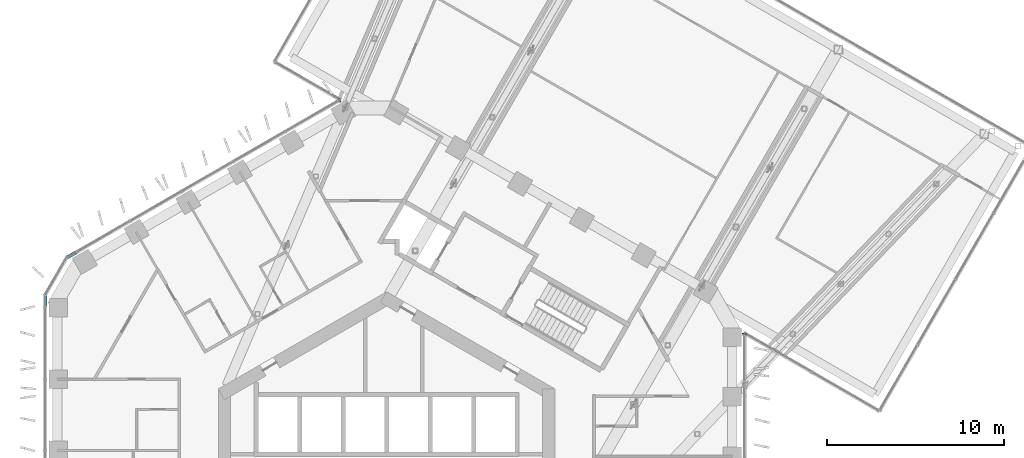
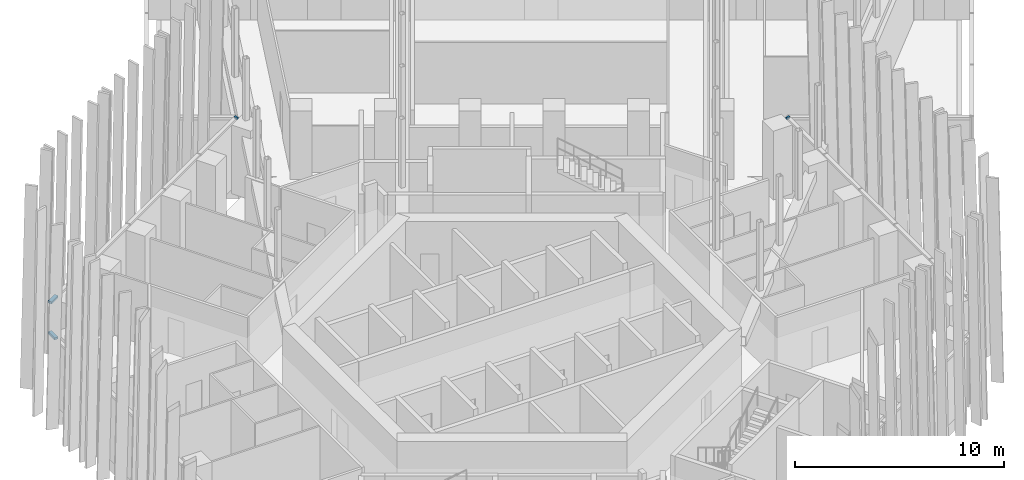
# One storey, part 12 of 31: 4 members, 3 elements without a shape of their own.
"""IFC4 building model written with IfcOpenShell, lengths in metres."""

from ifc_helpers import new_model, si_unit, direction, frame, origin, origin_2d, place, context, subcontext, project, spatial, rectangle, extrude, material, layer, layer_set, material_profile, profile_set, type_object, element, aggregate, save


model = new_model("IFC4")

# Units and contexts
model_context = context("Model", 3, precision=1e-05, world=origin(), true_north=direction((0.0, 1.0)))
body_context = subcontext(model_context, "Body", "Model", "MODEL_VIEW")
ifc_project = project(units=[si_unit("LENGTHUNIT", "METRE"), si_unit("AREAUNIT", "SQUARE_METRE"), si_unit("VOLUMEUNIT", "CUBIC_METRE"), si_unit("PLANEANGLEUNIT", "RADIAN"), si_unit("MASSUNIT", "GRAM", prefix="KILO")], contexts=[model_context])

# Site, building, storey
site_placement = place(None, origin())
site = spatial("IfcSite", under=ifc_project, at=site_placement, CompositionType="ELEMENT")
building_placement = place(site_placement, origin())
building = spatial("IfcBuilding", under=site, at=building_placement, Name="Ayvan Gate Tower", CompositionType="ELEMENT")
storey_placement = place(building_placement, frame((0.0, 0.0, 135.89990234375)))
storey = spatial("IfcBuildingStorey", under=building, at=storey_placement, Name="L36", CompositionType="ELEMENT", Elevation=135.89990234375)

# Curtain wall, members
ifc_material = material(Name="Bronze anodised aluminium", Category="aluminium")
ifc_layer = layer(ifc_material, 0.199951171875)
ifc_layer_set = layer_set([ifc_layer], Name="Bronze anodised aluminium")
curtain_wall_type = type_object("IfcCurtainWallType", Name="Stick curtain wall CW-6", PredefinedType="NOTDEFINED", material=ifc_layer_set)
curtain_wall_1_placement = place(storey_placement, origin())
curtain_wall_1 = element("IfcCurtainWall", 1, at=curtain_wall_1_placement, inside=storey, type_object=curtain_wall_type, Name="Stick curtain wall CW-6 L36", PredefinedType="NOTDEFINED")
ifc_material_profile = material_profile(ifc_material, rectangle(XDim=0.199951171875, YDim=0.1201171875, at=origin_2d()), Name="Stick curtain wall CW-6 transom 200 x 120")
ifc_profile_set = profile_set([ifc_material_profile], Name="Bronze anodised aluminium")
member_type = type_object("IfcMemberType", Name="Stick curtain wall CW-6 transom 200 x 120", PredefinedType="USERDEFINED", material=ifc_profile_set)
member_1_placement = place(storey_placement, frame((-17.49365234375, 13.208251953125, 3.940185546875), z_axis=(-0.866022959057, -0.500004234368, 0.0), x_axis=(0.500004234368, -0.866022959057, 0.0)))
member_1 = element("IfcMember", 2, at=member_1_placement, type_object=member_type, Name="CW-6 transom 1", ObjectType="TRANSOM", PredefinedType="USERDEFINED", context=body_context, shape_type="SweptSolid", body=[
    extrude(rectangle(XDim=0.199951171875, YDim=0.1201171875, at=origin_2d()), origin(), (0.0, 0.0, 1.0), 0.625),
])
member_2_placement = place(storey_placement, frame((-19.263916015625, 10.76708984375, 3.940185546875), z_axis=(0.0, -1.0, 0.0), x_axis=(1.0, 0.0, 0.0)))
member_2 = element("IfcMember", 3, at=member_2_placement, type_object=member_type, Name="CW-6 transom 3", ObjectType="TRANSOM", PredefinedType="USERDEFINED", context=body_context, shape_type="SweptSolid", body=[
    extrude(rectangle(XDim=0.199951171875, YDim=0.1201171875, at=origin_2d()), origin(), (0.0, 0.0, 1.0), 0.625),
])
aggregate(curtain_wall_1, [member_1, member_2])

# Curtain wall, member
curtain_wall_2_placement = place(storey_placement, origin())
curtain_wall_2 = element("IfcCurtainWall", 4, at=curtain_wall_2_placement, inside=storey, type_object=curtain_wall_type, Name="Stick curtain wall CW-6 L36", PredefinedType="NOTDEFINED")
member_3_placement = place(storey_placement, frame((20.185546875, 8.5458984375, 3.940185546875), z_axis=(-0.258121640407, 0.966112425525, 0.0), x_axis=(-0.966112425525, -0.258121640407, 0.0)))
member_3 = element("IfcMember", 5, at=member_3_placement, type_object=member_type, Name="CW-6 transom 1", ObjectType="TRANSOM", PredefinedType="USERDEFINED", context=body_context, shape_type="SweptSolid", body=[
    extrude(rectangle(XDim=0.199951171875, YDim=0.1201171875, at=origin_2d()), origin(), (0.0, 0.0, 1.0), 0.099365234375),
])
aggregate(curtain_wall_2, [member_3])

curtain_wall_3_placement = place(storey_placement, origin())
curtain_wall_3 = element("IfcCurtainWall", 6, at=curtain_wall_3_placement, inside=storey, type_object=curtain_wall_type, Name="Stick curtain wall CW-6 L36", PredefinedType="NOTDEFINED")
member_4_placement = place(storey_placement, frame((-2.595947265625, 21.77978515625, 3.940185546875), z_axis=(-0.966112425525, -0.258121640407, 0.0), x_axis=(0.258121640407, -0.966112425525, 0.0)))
member_4 = element("IfcMember", 7, at=member_4_placement, type_object=member_type, Name="CW-6 transom 1", ObjectType="TRANSOM", PredefinedType="USERDEFINED", context=body_context, shape_type="SweptSolid", body=[
    extrude(rectangle(XDim=0.199951171875, YDim=0.1201171875, at=origin_2d()), origin(), (0.0, 0.0, 1.0), 0.099365234375),
])
aggregate(curtain_wall_3, [member_4])

save(model, "model.ifc")
